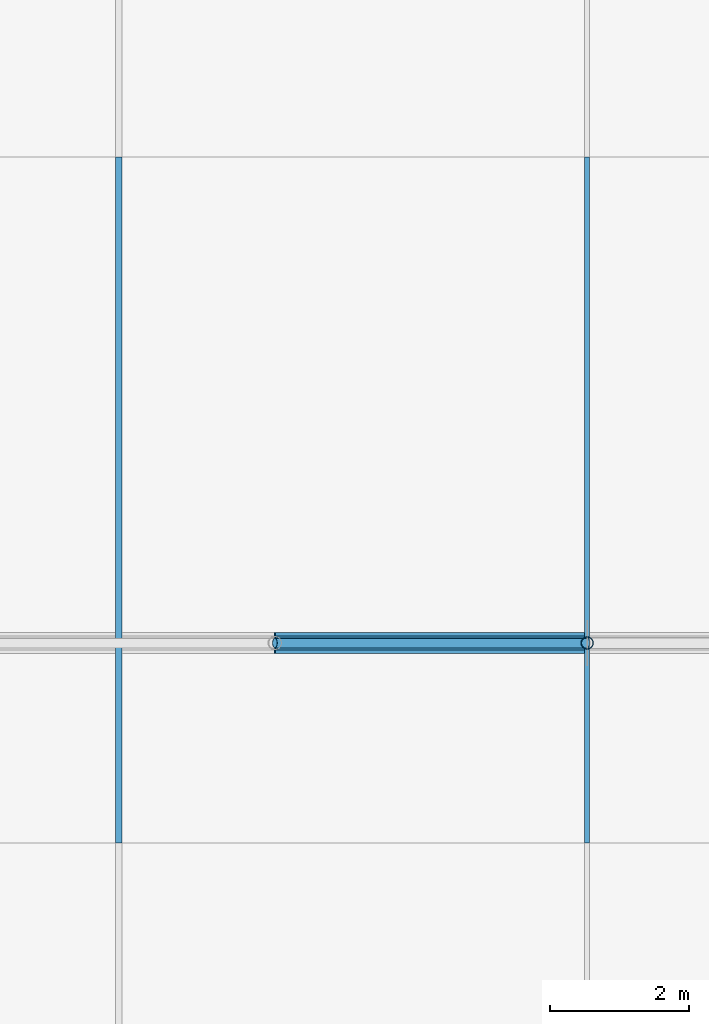
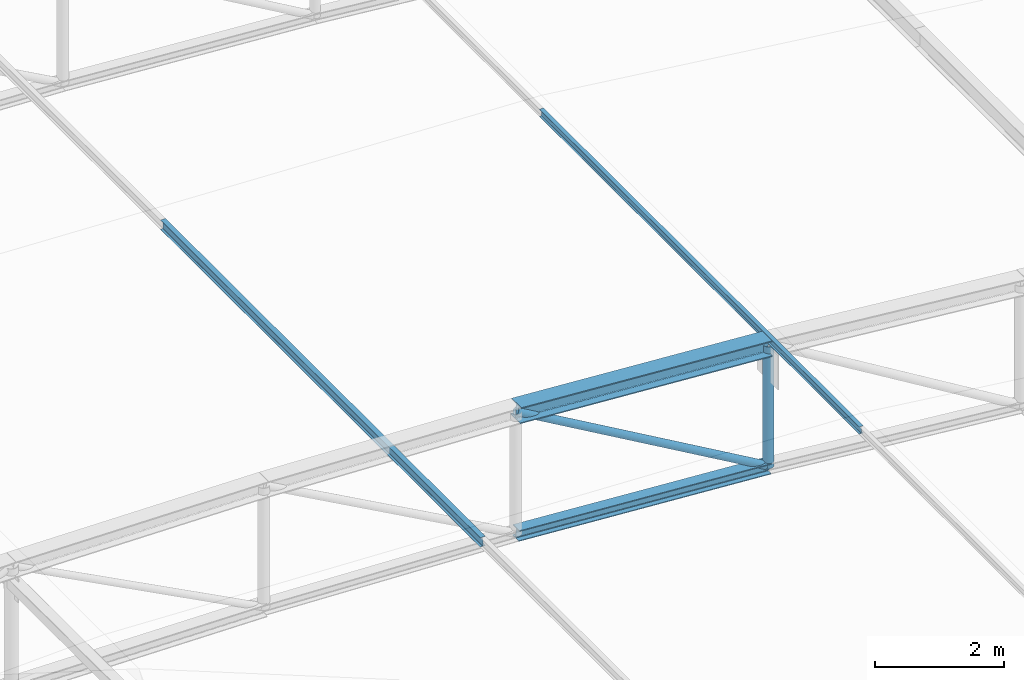
# One storey, part 165 of 262: 6 members.
"""IFC4 building model written with IfcOpenShell, lengths in metres."""

from ifc_helpers import new_model, si_unit, derived_unit, direction, frame, origin, origin_2d, place, context, subcontext, project, spatial, hollow_circle, i_section, extrude, material, material_profile, profile_set, type_object, element, save


model = new_model("IFC4")

# Units and contexts
model_context = context("Model", 3, precision=1e-05, world=origin(), true_north=direction((0.0, 1.0)))
body_context = subcontext(model_context, "Body", "Model", "MODEL_VIEW")
ifc_project = project(units=[si_unit("LENGTHUNIT", "METRE"), si_unit("AREAUNIT", "SQUARE_METRE"), si_unit("VOLUMEUNIT", "CUBIC_METRE"), si_unit("PLANEANGLEUNIT", "RADIAN"), si_unit("MASSUNIT", "GRAM", prefix="KILO"), derived_unit("THERMALTRANSMITTANCEUNIT", [(si_unit("POWERUNIT", "WATT"), 1), (si_unit("LENGTHUNIT", "METRE"), -2), (si_unit("THERMODYNAMICTEMPERATUREUNIT", "KELVIN"), -1)])], contexts=[model_context])

# Site, building, storey
site_placement = place(None, origin())
site = spatial("IfcSite", under=ifc_project, at=site_placement, CompositionType="ELEMENT")
building_placement = place(site_placement, origin())
building = spatial("IfcBuilding", under=site, at=building_placement, Name="Almenara Railside Exhibition Hall", CompositionType="ELEMENT")
storey_placement = place(building_placement, frame((0.0, 0.0, 21.699951171875)))
storey = spatial("IfcBuildingStorey", under=building, at=storey_placement, Name="RF", CompositionType="ELEMENT", Elevation=21.699951171875)

# Members
ifc_material = material(Name="Structural steel S355JR", Category="steel")
ifc_material_profile_1 = material_profile(ifc_material, i_section(OverallWidth=0.300048828125, OverallDepth=0.300048828125, WebThickness=0.010986328125, FlangeThickness=0.01904296875, FilletRadius=0.027099609375, at=origin_2d()), Name="HEB 300")
ifc_profile_set_1 = profile_set([ifc_material_profile_1], Name="Structural steel S355JR")
member_type_1 = type_object("IfcMemberType", Name="Arched Inner Top Chord HEB 300 S355JR", PredefinedType="CHORD", material=ifc_profile_set_1)
member_1_placement = place(storey_placement, frame((174.0, 76.0, -5.344482421875), z_axis=(0.997704684283, 0.0, -0.067715308162), x_axis=(0.0, 1.0, 0.0)))
element("IfcMember", 1, at=member_1_placement, inside=storey, type_object=member_type_1, Name="MEM-TC-V2-03-08", PredefinedType="CHORD", context=body_context, shape_type="SweptSolid", body=[
    extrude(i_section(OverallWidth=0.300048828125, OverallDepth=0.300048828125, WebThickness=0.010986328125, FlangeThickness=0.01904296875, FilletRadius=0.027099609375, at=origin_2d()), origin(), (0.0, 0.0, 1.0), 4.51025390625),
])
ifc_material_profile_2 = material_profile(ifc_material, i_section(OverallWidth=0.199951171875, OverallDepth=0.199951171875, WebThickness=0.009033203125, FlangeThickness=0.014892578125, FilletRadius=0.01806640625, at=origin_2d()), Name="HEB 200")
ifc_profile_set_2 = profile_set([ifc_material_profile_2], Name="Structural steel S355JR")
member_type_2 = type_object("IfcMemberType", Name="Canopy Collar Chord HEB 200 S355JR", PredefinedType="CHORD", material=ifc_profile_set_2)
member_2_placement = place(storey_placement, frame((174.0, 76.0, -7.644287109375), z_axis=(0.997701025897, 0.0, -0.067769188608), x_axis=(0.0, 1.0, 0.0)))
element("IfcMember", 2, at=member_2_placement, inside=storey, type_object=member_type_2, Name="MEM-BC-V2-03-08", PredefinedType="CHORD", context=body_context, shape_type="SweptSolid", body=[
    extrude(i_section(OverallWidth=0.199951171875, OverallDepth=0.199951171875, WebThickness=0.009033203125, FlangeThickness=0.014892578125, FilletRadius=0.01806640625, at=origin_2d()), origin(), (0.0, 0.0, 1.0), 4.51025390625),
])
ifc_material_profile_3 = material_profile(ifc_material, i_section(OverallWidth=0.072998046875, OverallDepth=0.139892578125, WebThickness=0.004638671875, FlangeThickness=0.0068359375, FilletRadius=0.007080078125, at=origin_2d()), Name="IPE 140")
ifc_profile_set_3 = profile_set([ifc_material_profile_3], Name="Structural steel S355JR")
member_type_3 = type_object("IfcMemberType", Name="Canopy Edge Purlin IPE 140 S355JR", PredefinedType="PURLIN", material=ifc_profile_set_3)
member_3_placement = place(storey_placement, frame((178.5, 73.1201171875, -5.53076171875), z_axis=(0.0, 1.0, 0.0), x_axis=(-1.0, 0.0, 0.0)))
element("IfcMember", 3, at=member_3_placement, inside=storey, type_object=member_type_3, Name="MEM-PR-V2-PR-IPE140-06-13", PredefinedType="PURLIN", context=body_context, shape_type="SweptSolid", body=[
    extrude(i_section(OverallWidth=0.072998046875, OverallDepth=0.139892578125, WebThickness=0.004638671875, FlangeThickness=0.0068359375, FilletRadius=0.007080078125, at=origin_2d()), origin(), (0.0, 0.0, 1.0), 9.8798828125),
])
ifc_material_profile_4 = material_profile(ifc_material, i_section(OverallWidth=0.091064453125, OverallDepth=0.179931640625, WebThickness=0.00537109375, FlangeThickness=0.008056640625, FilletRadius=0.009033203125, at=origin_2d()), Name="IPE 180")
ifc_profile_set_4 = profile_set([ifc_material_profile_4], Name="Structural steel S355JR")
member_type_4 = type_object("IfcMemberType", Name="Plenary Roof Purlin IPE 180 S355JR", PredefinedType="PURLIN", material=ifc_profile_set_4)
member_4_placement = place(storey_placement, frame((171.75, 73.1201171875, -5.2744140625), z_axis=(0.0, 1.0, 0.0), x_axis=(-1.0, 0.0, 0.0)))
element("IfcMember", 4, at=member_4_placement, inside=storey, type_object=member_type_4, Name="MEM-PR-V2-PR-IPE180-05-13", PredefinedType="PURLIN", context=body_context, shape_type="SweptSolid", body=[
    extrude(i_section(OverallWidth=0.091064453125, OverallDepth=0.179931640625, WebThickness=0.00537109375, FlangeThickness=0.008056640625, FilletRadius=0.009033203125, at=origin_2d()), origin(), (0.0, 0.0, 1.0), 9.8798828125),
])
ifc_material_profile_5 = material_profile(ifc_material, hollow_circle(Radius=0.06982421875, WallThickness=0.0048828125, at=origin_2d()), Name="CHS 139.7x5")
ifc_profile_set_5 = profile_set([ifc_material_profile_5], Name="Structural steel S355JR")
member_type_5 = type_object("IfcMemberType", Name="Truss Inner Diagonal CHS 139.7x5 S355JR", PredefinedType="BRACE", material=ifc_profile_set_5)
member_5_placement = place(storey_placement, frame((174.0, 76.0, -5.344482421875), z_axis=(0.865409140876, 0.0, -0.501065882782), x_axis=(0.0, 1.0, 0.0)))
element("IfcMember", 5, at=member_5_placement, inside=storey, type_object=member_type_5, Name="MEM-TD-V2-03-08", PredefinedType="BRACE", context=body_context, shape_type="SweptSolid", body=[
    extrude(hollow_circle(Radius=0.06982421875, WallThickness=0.0048828125, at=origin_2d()), origin(), (0.0, 0.0, 1.0), 5.199951171875),
])
ifc_material_profile_6 = material_profile(ifc_material, hollow_circle(Radius=0.0888671875, WallThickness=0.006103515625, at=origin_2d()), Name="CHS 177.8x6")
ifc_profile_set_6 = profile_set([ifc_material_profile_6], Name="Structural steel S355JR")
member_type_6 = type_object("IfcMemberType", Name="Truss Quarter Vertical Strut CHS 177.8x6 S355JR", PredefinedType="BRACE", material=ifc_profile_set_6)
member_6_placement = place(storey_placement, frame((178.5, 76.0, -7.949951171875), z_axis=(0.0, 0.0, 1.0), x_axis=(1.0, 0.0, 0.0)))
element("IfcMember", 6, at=member_6_placement, inside=storey, type_object=member_type_6, Name="MEM-TV-V2-03-09", PredefinedType="BRACE", context=body_context, shape_type="SweptSolid", body=[
    extrude(hollow_circle(Radius=0.0888671875, WallThickness=0.006103515625, at=origin_2d()), origin(), (0.0, 0.0, 1.0), 2.300048828125),
])

save(model, "model.ifc")
